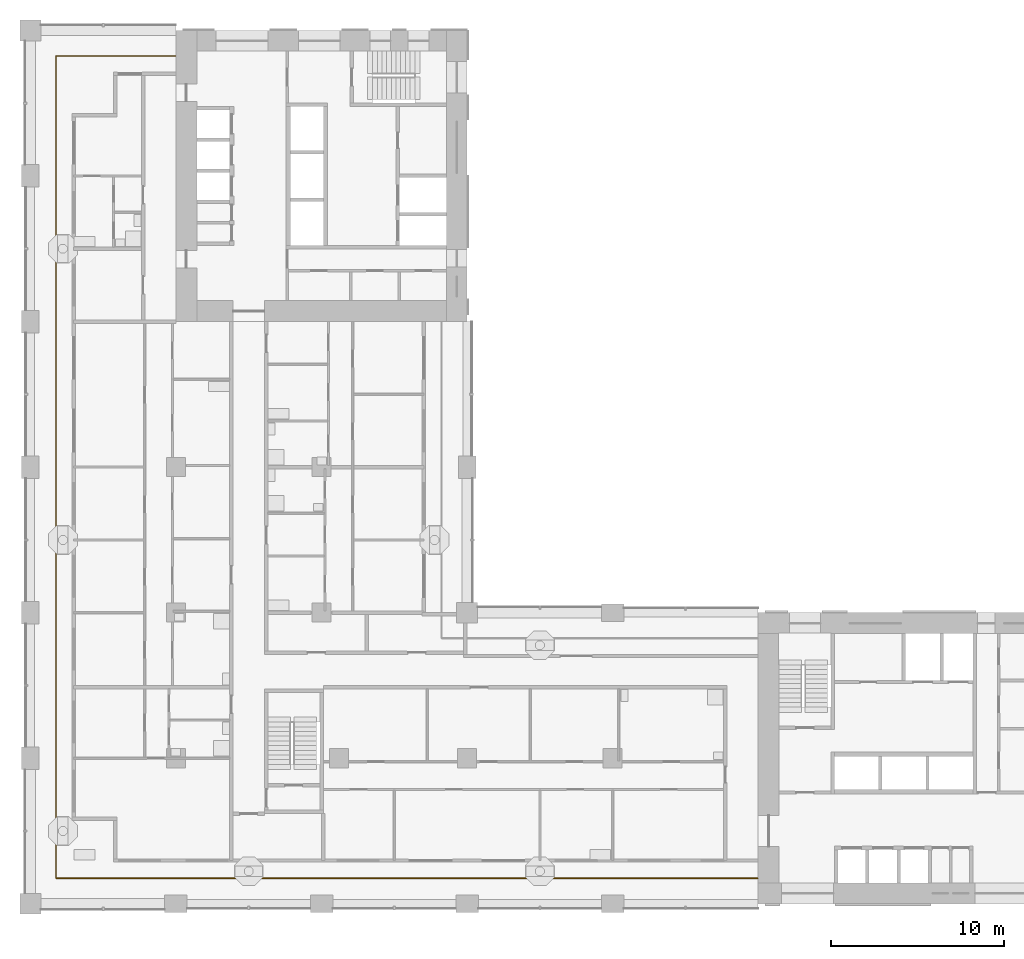
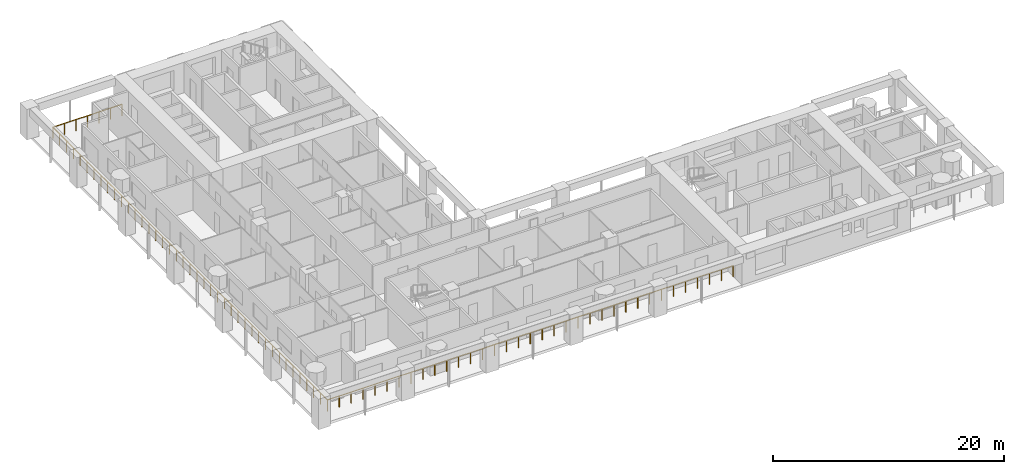
# One storey, part 10 of 18: 1 railing.
"""IFC4 building model written with IfcOpenShell, lengths in metres."""

from ifc_helpers import new_model, si_unit, direction, frame, origin, origin_2d, place, context, subcontext, project, spatial, circle, extrude, material, type_object, element, save


model = new_model("IFC4")

# Units and contexts
model_context = context("Model", 3, precision=1e-05, world=origin(), true_north=direction((0.0, 1.0)))
body_context = subcontext(model_context, "Body", "Model", "MODEL_VIEW")
ifc_project = project(units=[si_unit("LENGTHUNIT", "METRE"), si_unit("AREAUNIT", "SQUARE_METRE"), si_unit("VOLUMEUNIT", "CUBIC_METRE"), si_unit("PLANEANGLEUNIT", "RADIAN"), si_unit("MASSUNIT", "GRAM", prefix="KILO")], contexts=[model_context])

# Site, building, storey
site_placement = place(None, origin())
site = spatial("IfcSite", under=ifc_project, at=site_placement, CompositionType="ELEMENT")
building_placement = place(site_placement, origin())
building = spatial("IfcBuilding", under=site, at=building_placement, Name="Vermilion Gate Residences", CompositionType="ELEMENT")
storey_placement = place(building_placement, frame((0.0, 0.0, 88.199951171875)))
storey = spatial("IfcBuildingStorey", under=building, at=storey_placement, Name="L21", CompositionType="ELEMENT", Elevation=88.199951171875)

# Railing
ifc_material = material(Name="Stainless steel and toughened glass", Category="steel")
railing_type = type_object("IfcRailingType", Name="LOGGIA GUARD STEEL AND GLASS 1200", PredefinedType="GUARDRAIL", material=ifc_material)
railing_placement = place(storey_placement, frame((8.3779296875, 57.324951171875, 0.0)))
element("IfcRailing", 1, at=railing_placement, inside=storey, type_object=railing_type, Name="Loggia guard", PredefinedType="GUARDRAIL", context=body_context, shape_type="SweptSolid", body=[
    extrude(circle(Radius=0.030029296875, at=origin_2d()), frame((0.0, 0.0, 1.169921875), z_axis=(-1.0, 0.0, 0.0), x_axis=(0.0, -1.0, 0.0)), (0.0, 0.0, 1.0), 6.90283203125),
    extrude(circle(Radius=0.030029296875, at=origin_2d()), frame((-6.90283203125, 0.0, 1.169921875), z_axis=(0.0, -1.0, 0.0), x_axis=(1.0, 0.0, 0.0)), (0.0, 0.0, 1.0), 47.449951171875),
    extrude(circle(Radius=0.030029296875, at=origin_2d()), frame((-6.90283203125, -47.449951171875, 1.169921875), z_axis=(1.0, 0.0, 0.0), x_axis=(0.0, 1.0, 0.0)), (0.0, 0.0, 1.0), 40.5029296875),
    extrude(circle(Radius=0.02490234375, at=origin_2d()), origin(), (0.0, 0.0, 1.0), 1.139892578125),
    extrude(circle(Radius=0.02490234375, at=origin_2d()), frame((-1.150390625, 0.0, 0.0)), (0.0, 0.0, 1.0), 1.139892578125),
    extrude(circle(Radius=0.02490234375, at=origin_2d()), frame((-2.301025390625, 0.0, 0.0)), (0.0, 0.0, 1.0), 1.139892578125),
    extrude(circle(Radius=0.02490234375, at=origin_2d()), frame((-3.451416015625, 0.0, 0.0)), (0.0, 0.0, 1.0), 1.139892578125),
    extrude(circle(Radius=0.02490234375, at=origin_2d()), frame((-4.601806640625, 0.0, 0.0)), (0.0, 0.0, 1.0), 1.139892578125),
    extrude(circle(Radius=0.02490234375, at=origin_2d()), frame((-5.75244140625, 0.0, 0.0)), (0.0, 0.0, 1.0), 1.139892578125),
    extrude(circle(Radius=0.02490234375, at=origin_2d()), frame((-6.90283203125, 0.0, 0.0)), (0.0, 0.0, 1.0), 1.139892578125),
    extrude(circle(Radius=0.02490234375, at=origin_2d()), frame((-6.90283203125, -1.186279296875, 0.0)), (0.0, 0.0, 1.0), 1.139892578125),
    extrude(circle(Radius=0.02490234375, at=origin_2d()), frame((-6.90283203125, -2.37255859375, 0.0)), (0.0, 0.0, 1.0), 1.139892578125),
    extrude(circle(Radius=0.02490234375, at=origin_2d()), frame((-6.90283203125, -3.558837890625, 0.0)), (0.0, 0.0, 1.0), 1.139892578125),
    extrude(circle(Radius=0.02490234375, at=origin_2d()), frame((-6.90283203125, -4.7451171875, 0.0)), (0.0, 0.0, 1.0), 1.139892578125),
    extrude(circle(Radius=0.02490234375, at=origin_2d()), frame((-6.90283203125, -5.93115234375, 0.0)), (0.0, 0.0, 1.0), 1.139892578125),
    extrude(circle(Radius=0.02490234375, at=origin_2d()), frame((-6.90283203125, -7.117431640625, 0.0)), (0.0, 0.0, 1.0), 1.139892578125),
    extrude(circle(Radius=0.02490234375, at=origin_2d()), frame((-6.90283203125, -8.3037109375, 0.0)), (0.0, 0.0, 1.0), 1.139892578125),
    extrude(circle(Radius=0.02490234375, at=origin_2d()), frame((-6.90283203125, -9.489990234375, 0.0)), (0.0, 0.0, 1.0), 1.139892578125),
    extrude(circle(Radius=0.02490234375, at=origin_2d()), frame((-6.90283203125, -10.67626953125, 0.0)), (0.0, 0.0, 1.0), 1.139892578125),
    extrude(circle(Radius=0.02490234375, at=origin_2d()), frame((-6.90283203125, -11.862548828125, 0.0)), (0.0, 0.0, 1.0), 1.139892578125),
    extrude(circle(Radius=0.02490234375, at=origin_2d()), frame((-6.90283203125, -13.048828125, 0.0)), (0.0, 0.0, 1.0), 1.139892578125),
    extrude(circle(Radius=0.02490234375, at=origin_2d()), frame((-6.90283203125, -14.23486328125, 0.0)), (0.0, 0.0, 1.0), 1.139892578125),
    extrude(circle(Radius=0.02490234375, at=origin_2d()), frame((-6.90283203125, -15.421142578125, 0.0)), (0.0, 0.0, 1.0), 1.139892578125),
    extrude(circle(Radius=0.02490234375, at=origin_2d()), frame((-6.90283203125, -16.607421875, 0.0)), (0.0, 0.0, 1.0), 1.139892578125),
    extrude(circle(Radius=0.02490234375, at=origin_2d()), frame((-6.90283203125, -17.793701171875, 0.0)), (0.0, 0.0, 1.0), 1.139892578125),
    extrude(circle(Radius=0.02490234375, at=origin_2d()), frame((-6.90283203125, -18.97998046875, 0.0)), (0.0, 0.0, 1.0), 1.139892578125),
    extrude(circle(Radius=0.02490234375, at=origin_2d()), frame((-6.90283203125, -20.166259765625, 0.0)), (0.0, 0.0, 1.0), 1.139892578125),
    extrude(circle(Radius=0.02490234375, at=origin_2d()), frame((-6.90283203125, -21.3525390625, 0.0)), (0.0, 0.0, 1.0), 1.139892578125),
    extrude(circle(Radius=0.02490234375, at=origin_2d()), frame((-6.90283203125, -22.538818359375, 0.0)), (0.0, 0.0, 1.0), 1.139892578125),
    extrude(circle(Radius=0.02490234375, at=origin_2d()), frame((-6.90283203125, -23.72509765625, 0.0)), (0.0, 0.0, 1.0), 1.139892578125),
    extrude(circle(Radius=0.02490234375, at=origin_2d()), frame((-6.90283203125, -24.9111328125, 0.0)), (0.0, 0.0, 1.0), 1.139892578125),
    extrude(circle(Radius=0.02490234375, at=origin_2d()), frame((-6.90283203125, -26.097412109375, 0.0)), (0.0, 0.0, 1.0), 1.139892578125),
    extrude(circle(Radius=0.02490234375, at=origin_2d()), frame((-6.90283203125, -27.28369140625, 0.0)), (0.0, 0.0, 1.0), 1.139892578125),
    extrude(circle(Radius=0.02490234375, at=origin_2d()), frame((-6.90283203125, -28.469970703125, 0.0)), (0.0, 0.0, 1.0), 1.139892578125),
    extrude(circle(Radius=0.02490234375, at=origin_2d()), frame((-6.90283203125, -29.65625, 0.0)), (0.0, 0.0, 1.0), 1.139892578125),
    extrude(circle(Radius=0.02490234375, at=origin_2d()), frame((-6.90283203125, -30.842529296875, 0.0)), (0.0, 0.0, 1.0), 1.139892578125),
    extrude(circle(Radius=0.02490234375, at=origin_2d()), frame((-6.90283203125, -32.02880859375, 0.0)), (0.0, 0.0, 1.0), 1.139892578125),
    extrude(circle(Radius=0.02490234375, at=origin_2d()), frame((-6.90283203125, -33.21484375, 0.0)), (0.0, 0.0, 1.0), 1.139892578125),
    extrude(circle(Radius=0.02490234375, at=origin_2d()), frame((-6.90283203125, -34.401123046875, 0.0)), (0.0, 0.0, 1.0), 1.139892578125),
    extrude(circle(Radius=0.02490234375, at=origin_2d()), frame((-6.90283203125, -35.58740234375, 0.0)), (0.0, 0.0, 1.0), 1.139892578125),
    extrude(circle(Radius=0.02490234375, at=origin_2d()), frame((-6.90283203125, -36.773681640625, 0.0)), (0.0, 0.0, 1.0), 1.139892578125),
    extrude(circle(Radius=0.02490234375, at=origin_2d()), frame((-6.90283203125, -37.9599609375, 0.0)), (0.0, 0.0, 1.0), 1.139892578125),
    extrude(circle(Radius=0.02490234375, at=origin_2d()), frame((-6.90283203125, -39.146240234375, 0.0)), (0.0, 0.0, 1.0), 1.139892578125),
    extrude(circle(Radius=0.02490234375, at=origin_2d()), frame((-6.90283203125, -40.33251953125, 0.0)), (0.0, 0.0, 1.0), 1.139892578125),
    extrude(circle(Radius=0.02490234375, at=origin_2d()), frame((-6.90283203125, -41.518798828125, 0.0)), (0.0, 0.0, 1.0), 1.139892578125),
    extrude(circle(Radius=0.02490234375, at=origin_2d()), frame((-6.90283203125, -42.705078125, 0.0)), (0.0, 0.0, 1.0), 1.139892578125),
    extrude(circle(Radius=0.02490234375, at=origin_2d()), frame((-6.90283203125, -43.89111328125, 0.0)), (0.0, 0.0, 1.0), 1.139892578125),
    extrude(circle(Radius=0.02490234375, at=origin_2d()), frame((-6.90283203125, -45.077392578125, 0.0)), (0.0, 0.0, 1.0), 1.139892578125),
    extrude(circle(Radius=0.02490234375, at=origin_2d()), frame((-6.90283203125, -46.263671875, 0.0)), (0.0, 0.0, 1.0), 1.139892578125),
    extrude(circle(Radius=0.02490234375, at=origin_2d()), frame((-6.90283203125, -47.449951171875, 0.0)), (0.0, 0.0, 1.0), 1.139892578125),
    extrude(circle(Radius=0.02490234375, at=origin_2d()), frame((-5.711669921875, -47.449951171875, 0.0)), (0.0, 0.0, 1.0), 1.139892578125),
    extrude(circle(Radius=0.02490234375, at=origin_2d()), frame((-4.520263671875, -47.449951171875, 0.0)), (0.0, 0.0, 1.0), 1.139892578125),
    extrude(circle(Radius=0.02490234375, at=origin_2d()), frame((-3.3291015625, -47.449951171875, 0.0)), (0.0, 0.0, 1.0), 1.139892578125),
    extrude(circle(Radius=0.02490234375, at=origin_2d()), frame((-2.1376953125, -47.449951171875, 0.0)), (0.0, 0.0, 1.0), 1.139892578125),
    extrude(circle(Radius=0.02490234375, at=origin_2d()), frame((-0.946533203125, -47.449951171875, 0.0)), (0.0, 0.0, 1.0), 1.139892578125),
    extrude(circle(Radius=0.02490234375, at=origin_2d()), frame((0.24462890625, -47.449951171875, 0.0)), (0.0, 0.0, 1.0), 1.139892578125),
    extrude(circle(Radius=0.02490234375, at=origin_2d()), frame((1.43603515625, -47.449951171875, 0.0)), (0.0, 0.0, 1.0), 1.139892578125),
    extrude(circle(Radius=0.02490234375, at=origin_2d()), frame((2.627197265625, -47.449951171875, 0.0)), (0.0, 0.0, 1.0), 1.139892578125),
    extrude(circle(Radius=0.02490234375, at=origin_2d()), frame((3.818603515625, -47.449951171875, 0.0)), (0.0, 0.0, 1.0), 1.139892578125),
    extrude(circle(Radius=0.02490234375, at=origin_2d()), frame((5.009765625, -47.449951171875, 0.0)), (0.0, 0.0, 1.0), 1.139892578125),
    extrude(circle(Radius=0.02490234375, at=origin_2d()), frame((6.201171875, -47.449951171875, 0.0)), (0.0, 0.0, 1.0), 1.139892578125),
    extrude(circle(Radius=0.02490234375, at=origin_2d()), frame((7.392333984375, -47.449951171875, 0.0)), (0.0, 0.0, 1.0), 1.139892578125),
    extrude(circle(Radius=0.02490234375, at=origin_2d()), frame((8.58349609375, -47.449951171875, 0.0)), (0.0, 0.0, 1.0), 1.139892578125),
    extrude(circle(Radius=0.02490234375, at=origin_2d()), frame((9.77490234375, -47.449951171875, 0.0)), (0.0, 0.0, 1.0), 1.139892578125),
    extrude(circle(Radius=0.02490234375, at=origin_2d()), frame((10.966064453125, -47.449951171875, 0.0)), (0.0, 0.0, 1.0), 1.139892578125),
    extrude(circle(Radius=0.02490234375, at=origin_2d()), frame((12.157470703125, -47.449951171875, 0.0)), (0.0, 0.0, 1.0), 1.139892578125),
    extrude(circle(Radius=0.02490234375, at=origin_2d()), frame((13.3486328125, -47.449951171875, 0.0)), (0.0, 0.0, 1.0), 1.139892578125),
    extrude(circle(Radius=0.02490234375, at=origin_2d()), frame((14.539794921875, -47.449951171875, 0.0)), (0.0, 0.0, 1.0), 1.139892578125),
    extrude(circle(Radius=0.02490234375, at=origin_2d()), frame((15.731201171875, -47.449951171875, 0.0)), (0.0, 0.0, 1.0), 1.139892578125),
    extrude(circle(Radius=0.02490234375, at=origin_2d()), frame((16.92236328125, -47.449951171875, 0.0)), (0.0, 0.0, 1.0), 1.139892578125),
    extrude(circle(Radius=0.02490234375, at=origin_2d()), frame((18.11376953125, -47.449951171875, 0.0)), (0.0, 0.0, 1.0), 1.139892578125),
    extrude(circle(Radius=0.02490234375, at=origin_2d()), frame((19.304931640625, -47.449951171875, 0.0)), (0.0, 0.0, 1.0), 1.139892578125),
    extrude(circle(Radius=0.02490234375, at=origin_2d()), frame((20.49609375, -47.449951171875, 0.0)), (0.0, 0.0, 1.0), 1.139892578125),
    extrude(circle(Radius=0.02490234375, at=origin_2d()), frame((21.6875, -47.449951171875, 0.0)), (0.0, 0.0, 1.0), 1.139892578125),
    extrude(circle(Radius=0.02490234375, at=origin_2d()), frame((22.878662109375, -47.449951171875, 0.0)), (0.0, 0.0, 1.0), 1.139892578125),
    extrude(circle(Radius=0.02490234375, at=origin_2d()), frame((24.070068359375, -47.449951171875, 0.0)), (0.0, 0.0, 1.0), 1.139892578125),
    extrude(circle(Radius=0.02490234375, at=origin_2d()), frame((25.26123046875, -47.449951171875, 0.0)), (0.0, 0.0, 1.0), 1.139892578125),
    extrude(circle(Radius=0.02490234375, at=origin_2d()), frame((26.45263671875, -47.449951171875, 0.0)), (0.0, 0.0, 1.0), 1.139892578125),
    extrude(circle(Radius=0.02490234375, at=origin_2d()), frame((27.643798828125, -47.449951171875, 0.0)), (0.0, 0.0, 1.0), 1.139892578125),
    extrude(circle(Radius=0.02490234375, at=origin_2d()), frame((28.8349609375, -47.449951171875, 0.0)), (0.0, 0.0, 1.0), 1.139892578125),
    extrude(circle(Radius=0.02490234375, at=origin_2d()), frame((30.0263671875, -47.449951171875, 0.0)), (0.0, 0.0, 1.0), 1.139892578125),
    extrude(circle(Radius=0.02490234375, at=origin_2d()), frame((31.217529296875, -47.449951171875, 0.0)), (0.0, 0.0, 1.0), 1.139892578125),
    extrude(circle(Radius=0.02490234375, at=origin_2d()), frame((32.408935546875, -47.449951171875, 0.0)), (0.0, 0.0, 1.0), 1.139892578125),
    extrude(circle(Radius=0.02490234375, at=origin_2d()), frame((33.60009765625, -47.449951171875, 0.0)), (0.0, 0.0, 1.0), 1.139892578125),
])

save(model, "model.ifc")
